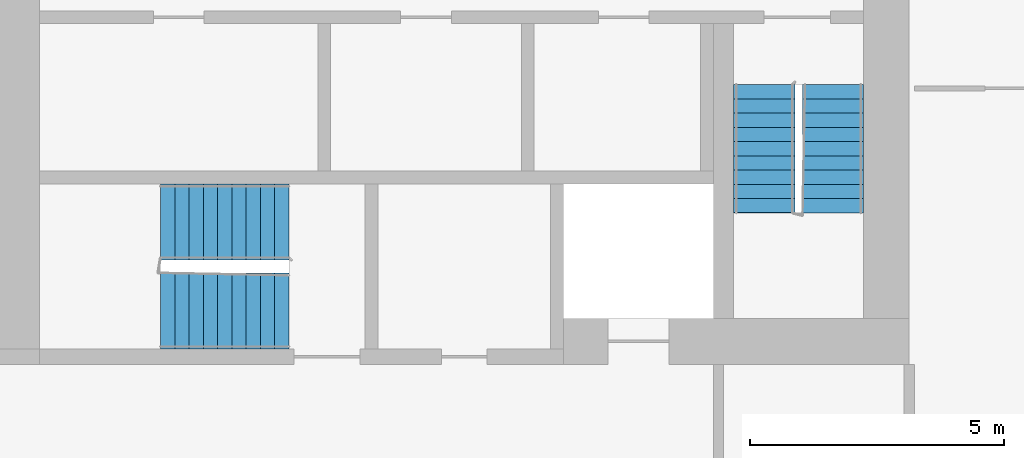
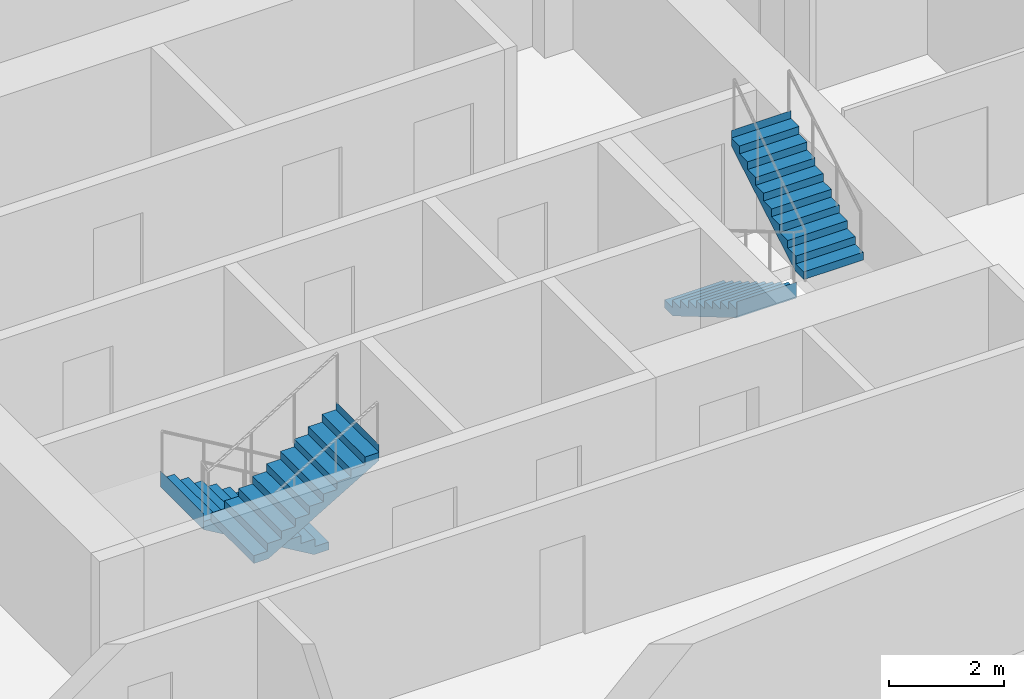
# One storey, part 8 of 11: 4 stair flights, 2 elements without a shape of their own.
"""IFC4 building model written with IfcOpenShell, lengths in metres."""

from ifc_helpers import new_model, si_unit, direction, frame, origin, place, context, subcontext, project, spatial, faceted_brep, material, type_object, element, aggregate, save


model = new_model("IFC4")

# Units and contexts
model_context = context("Model", 3, precision=1e-05, world=origin(), true_north=direction((0.0, 1.0)))
body_context = subcontext(model_context, "Body", "Model", "MODEL_VIEW")
ifc_project = project(units=[si_unit("LENGTHUNIT", "METRE"), si_unit("AREAUNIT", "SQUARE_METRE"), si_unit("VOLUMEUNIT", "CUBIC_METRE"), si_unit("PLANEANGLEUNIT", "RADIAN"), si_unit("MASSUNIT", "GRAM", prefix="KILO")], contexts=[model_context])

# Site, building, storey
site_placement = place(None, origin())
site = spatial("IfcSite", under=ifc_project, at=site_placement, CompositionType="ELEMENT")
building_placement = place(site_placement, origin())
building = spatial("IfcBuilding", under=site, at=building_placement, Name="Kajstack Hotel Tower", CompositionType="ELEMENT")
storey_placement = place(building_placement, frame((0.0, 0.0, 291.60009765625)))
storey = spatial("IfcBuildingStorey", under=building, at=storey_placement, Name="L73", CompositionType="ELEMENT", Elevation=291.60009765625)

# Stair, stair flights
ifc_material = material(Name="Concrete C40/50", Category="concrete")
stair_type_1 = type_object("IfcStairType", Name="Exit stair 1200", PredefinedType="HALF_TURN_STAIR", material=ifc_material)
stair_1_placement = place(storey_placement, origin())
stair_1 = element("IfcStair", 1, at=stair_1_placement, inside=storey, type_object=stair_type_1, Name="L73 stair W2", PredefinedType="HALF_TURN_STAIR")
stair_flight_type_1 = type_object("IfcStairFlightType", Name="Exit stair flight 1200", PredefinedType="STRAIGHT", material=ifc_material)
stair_flight_1_placement = place(storey_placement, frame((-16.35009765625, -10.0, 0.0), z_axis=(0.0, 0.0, 1.0), x_axis=(0.0, -1.0, 0.0)))
stair_flight_1 = element("IfcStairFlight", 2, at=stair_flight_1_placement, type_object=stair_flight_type_1, Name="W2 flight 1", NumberOfRisers=10, NumberOfTreads=9, PredefinedType="STRAIGHT", RiserHeight=0.165, TreadLength=0.28, context=body_context, shape_type="Brep", body=[
    faceted_brep([(0.295654296875, -0.60009765625, 0.0), (2.5205078125, -0.60009765625, 1.31103515625), (2.5205078125, -0.60009765625, 1.64990234375), (2.52001953125, -0.60009765625, 1.64990234375), (2.52001953125, -0.60009765625, 1.485107421875), (2.239990234375, -0.60009765625, 1.485107421875), (2.239990234375, -0.60009765625, 1.320068359375), (1.9599609375, -0.60009765625, 1.320068359375), (1.9599609375, -0.60009765625, 1.155029296875), (1.679931640625, -0.60009765625, 1.155029296875), (1.679931640625, -0.60009765625, 0.989990234375), (1.39990234375, -0.60009765625, 0.989990234375), (1.39990234375, -0.60009765625, 0.824951171875), (1.1201171875, -0.60009765625, 0.824951171875), (1.1201171875, -0.60009765625, 0.659912109375), (0.840087890625, -0.60009765625, 0.659912109375), (0.840087890625, -0.60009765625, 0.4951171875), (0.56005859375, -0.60009765625, 0.4951171875), (0.56005859375, -0.60009765625, 0.330078125), (0.280029296875, -0.60009765625, 0.330078125), (0.280029296875, -0.60009765625, 0.1650390625), (-0.00048828125, -0.60009765625, 0.1650390625), (-0.00048828125, -0.60009765625, 0.0), (-0.00048828125, 0.60009765625, 0.0), (-0.00048828125, 0.60009765625, 0.1650390625), (0.280029296875, 0.60009765625, 0.1650390625), (0.280029296875, 0.60009765625, 0.330078125), (0.56005859375, 0.60009765625, 0.330078125), (0.56005859375, 0.60009765625, 0.4951171875), (0.840087890625, 0.60009765625, 0.4951171875), (0.840087890625, 0.60009765625, 0.659912109375), (1.1201171875, 0.60009765625, 0.659912109375), (1.1201171875, 0.60009765625, 0.824951171875), (1.39990234375, 0.60009765625, 0.824951171875), (1.39990234375, 0.60009765625, 0.989990234375), (1.679931640625, 0.60009765625, 0.989990234375), (1.679931640625, 0.60009765625, 1.155029296875), (1.9599609375, 0.60009765625, 1.155029296875), (1.9599609375, 0.60009765625, 1.320068359375), (2.239990234375, 0.60009765625, 1.320068359375), (2.239990234375, 0.60009765625, 1.485107421875), (2.52001953125, 0.60009765625, 1.485107421875), (2.52001953125, 0.60009765625, 1.64990234375), (2.5205078125, 0.60009765625, 1.64990234375), (2.5205078125, 0.60009765625, 1.31103515625), (0.295654296875, 0.60009765625, 0.0), (-0.00048828125, -0.300048828125, 0.1650390625), (-0.00048828125, 0.0, 0.1650390625), (-0.00048828125, 0.300048828125, 0.1650390625), (-0.00048828125, 0.300048828125, 0.0), (-0.00048828125, 0.0, 0.0), (-0.00048828125, -0.300048828125, 0.0), (0.280029296875, -0.300048828125, 0.1650390625), (0.280029296875, 0.0, 0.1650390625), (0.280029296875, 0.300048828125, 0.1650390625), (0.280029296875, -0.300048828125, 0.330078125), (0.280029296875, 0.0, 0.330078125), (0.280029296875, 0.300048828125, 0.330078125), (0.56005859375, -0.300048828125, 0.330078125), (0.56005859375, 0.0, 0.330078125), (0.56005859375, 0.300048828125, 0.330078125), (0.56005859375, -0.300048828125, 0.4951171875), (0.56005859375, 0.0, 0.4951171875), (0.56005859375, 0.300048828125, 0.4951171875), (0.840087890625, -0.300048828125, 0.4951171875), (0.840087890625, 0.0, 0.4951171875), (0.840087890625, 0.300048828125, 0.4951171875), (0.840087890625, -0.300048828125, 0.659912109375), (0.840087890625, 0.0, 0.659912109375), (0.840087890625, 0.300048828125, 0.659912109375), (1.1201171875, -0.300048828125, 0.659912109375), (1.1201171875, 0.0, 0.659912109375), (1.1201171875, 0.300048828125, 0.659912109375), (1.1201171875, -0.300048828125, 0.824951171875), (1.1201171875, 0.0, 0.824951171875), (1.1201171875, 0.300048828125, 0.824951171875), (1.39990234375, -0.300048828125, 0.824951171875), (1.39990234375, 0.0, 0.824951171875), (1.39990234375, 0.300048828125, 0.824951171875), (1.39990234375, -0.300048828125, 0.989990234375), (1.39990234375, 0.0, 0.989990234375), (1.39990234375, 0.300048828125, 0.989990234375), (1.679931640625, -0.300048828125, 0.989990234375), (1.679931640625, 0.0, 0.989990234375), (1.679931640625, 0.300048828125, 0.989990234375), (1.679931640625, -0.300048828125, 1.155029296875), (1.679931640625, 0.0, 1.155029296875), (1.679931640625, 0.300048828125, 1.155029296875), (1.9599609375, -0.300048828125, 1.155029296875), (1.9599609375, 0.0, 1.155029296875), (1.9599609375, 0.300048828125, 1.155029296875), (1.9599609375, -0.300048828125, 1.320068359375), (1.9599609375, 0.0, 1.320068359375), (1.9599609375, 0.300048828125, 1.320068359375), (2.239990234375, -0.300048828125, 1.320068359375), (2.239990234375, 0.0, 1.320068359375), (2.239990234375, 0.300048828125, 1.320068359375), (2.239990234375, -0.300048828125, 1.485107421875), (2.239990234375, 0.0, 1.485107421875), (2.239990234375, 0.300048828125, 1.485107421875), (2.52001953125, -0.300048828125, 1.485107421875), (2.52001953125, 0.0, 1.485107421875), (2.52001953125, 0.300048828125, 1.485107421875), (2.52001953125, -0.300048828125, 1.64990234375), (2.52001953125, 0.0, 1.64990234375), (2.52001953125, 0.300048828125, 1.64990234375), (2.5205078125, -0.300048828125, 1.64990234375), (2.5205078125, 0.0, 1.64990234375), (2.5205078125, 0.300048828125, 1.64990234375), (2.5205078125, -0.300048828125, 1.31103515625), (2.5205078125, 0.0, 1.31103515625), (2.5205078125, 0.300048828125, 1.31103515625), (0.295654296875, -0.300048828125, 0.0), (0.295654296875, 0.0, 0.0), (0.295654296875, 0.300048828125, 0.0)], [[[0, 1, 2, 3, 4, 5, 6, 7, 8, 9, 10, 11, 12, 13, 14, 15, 16, 17, 18, 19, 20, 21, 22]], [[23, 24, 25, 26, 27, 28, 29, 30, 31, 32, 33, 34, 35, 36, 37, 38, 39, 40, 41, 42, 43, 44, 45]], [[21, 46, 47, 48, 24, 23, 49, 50, 51, 22]], [[20, 52, 53, 54, 25, 24, 48, 47, 46, 21]], [[19, 55, 56, 57, 26, 25, 54, 53, 52, 20]], [[18, 58, 59, 60, 27, 26, 57, 56, 55, 19]], [[17, 61, 62, 63, 28, 27, 60, 59, 58, 18]], [[16, 64, 65, 66, 29, 28, 63, 62, 61, 17]], [[15, 67, 68, 69, 30, 29, 66, 65, 64, 16]], [[14, 70, 71, 72, 31, 30, 69, 68, 67, 15]], [[13, 73, 74, 75, 32, 31, 72, 71, 70, 14]], [[12, 76, 77, 78, 33, 32, 75, 74, 73, 13]], [[11, 79, 80, 81, 34, 33, 78, 77, 76, 12]], [[10, 82, 83, 84, 35, 34, 81, 80, 79, 11]], [[9, 85, 86, 87, 36, 35, 84, 83, 82, 10]], [[8, 88, 89, 90, 37, 36, 87, 86, 85, 9]], [[7, 91, 92, 93, 38, 37, 90, 89, 88, 8]], [[6, 94, 95, 96, 39, 38, 93, 92, 91, 7]], [[5, 97, 98, 99, 40, 39, 96, 95, 94, 6]], [[4, 100, 101, 102, 41, 40, 99, 98, 97, 5]], [[3, 103, 104, 105, 42, 41, 102, 101, 100, 4]], [[2, 106, 107, 108, 43, 42, 105, 104, 103, 3]], [[1, 109, 110, 111, 44, 43, 108, 107, 106, 2]], [[0, 112, 113, 114, 45, 44, 111, 110, 109, 1]], [[22, 51, 50, 49, 23, 45, 114, 113, 112, 0]]]),
])
stair_flight_2_placement = place(storey_placement, frame((-15.0, -12.52001953125, 1.64990234375), z_axis=(0.0, 0.0, 1.0), x_axis=(0.0, 1.0, 0.0)))
stair_flight_2 = element("IfcStairFlight", 3, at=stair_flight_2_placement, type_object=stair_flight_type_1, Name="W2 flight 2", NumberOfRisers=10, NumberOfTreads=9, PredefinedType="STRAIGHT", RiserHeight=0.165, TreadLength=0.28, context=body_context, shape_type="Brep", body=[
    faceted_brep([(0.295654296875, -0.60009765625, 0.0), (2.5205078125, -0.60009765625, 1.31103515625), (2.5205078125, -0.60009765625, 1.64990234375), (2.52001953125, -0.60009765625, 1.64990234375), (2.52001953125, -0.60009765625, 1.485107421875), (2.239990234375, -0.60009765625, 1.485107421875), (2.239990234375, -0.60009765625, 1.320068359375), (1.9599609375, -0.60009765625, 1.320068359375), (1.9599609375, -0.60009765625, 1.155029296875), (1.679931640625, -0.60009765625, 1.155029296875), (1.679931640625, -0.60009765625, 0.989990234375), (1.39990234375, -0.60009765625, 0.989990234375), (1.39990234375, -0.60009765625, 0.824951171875), (1.1201171875, -0.60009765625, 0.824951171875), (1.1201171875, -0.60009765625, 0.659912109375), (0.840087890625, -0.60009765625, 0.659912109375), (0.840087890625, -0.60009765625, 0.4951171875), (0.56005859375, -0.60009765625, 0.4951171875), (0.56005859375, -0.60009765625, 0.330078125), (0.280029296875, -0.60009765625, 0.330078125), (0.280029296875, -0.60009765625, 0.1650390625), (-0.00048828125, -0.60009765625, 0.1650390625), (-0.00048828125, -0.60009765625, 0.0), (-0.00048828125, 0.60009765625, 0.0), (-0.00048828125, 0.60009765625, 0.1650390625), (0.280029296875, 0.60009765625, 0.1650390625), (0.280029296875, 0.60009765625, 0.330078125), (0.56005859375, 0.60009765625, 0.330078125), (0.56005859375, 0.60009765625, 0.4951171875), (0.840087890625, 0.60009765625, 0.4951171875), (0.840087890625, 0.60009765625, 0.659912109375), (1.1201171875, 0.60009765625, 0.659912109375), (1.1201171875, 0.60009765625, 0.824951171875), (1.39990234375, 0.60009765625, 0.824951171875), (1.39990234375, 0.60009765625, 0.989990234375), (1.679931640625, 0.60009765625, 0.989990234375), (1.679931640625, 0.60009765625, 1.155029296875), (1.9599609375, 0.60009765625, 1.155029296875), (1.9599609375, 0.60009765625, 1.320068359375), (2.239990234375, 0.60009765625, 1.320068359375), (2.239990234375, 0.60009765625, 1.485107421875), (2.52001953125, 0.60009765625, 1.485107421875), (2.52001953125, 0.60009765625, 1.64990234375), (2.5205078125, 0.60009765625, 1.64990234375), (2.5205078125, 0.60009765625, 1.31103515625), (0.295654296875, 0.60009765625, 0.0), (-0.00048828125, -0.300048828125, 0.1650390625), (-0.00048828125, 0.0, 0.1650390625), (-0.00048828125, 0.300048828125, 0.1650390625), (-0.00048828125, 0.300048828125, 0.0), (-0.00048828125, 0.0, 0.0), (-0.00048828125, -0.300048828125, 0.0), (0.280029296875, -0.300048828125, 0.1650390625), (0.280029296875, 0.0, 0.1650390625), (0.280029296875, 0.300048828125, 0.1650390625), (0.280029296875, -0.300048828125, 0.330078125), (0.280029296875, 0.0, 0.330078125), (0.280029296875, 0.300048828125, 0.330078125), (0.56005859375, -0.300048828125, 0.330078125), (0.56005859375, 0.0, 0.330078125), (0.56005859375, 0.300048828125, 0.330078125), (0.56005859375, -0.300048828125, 0.4951171875), (0.56005859375, 0.0, 0.4951171875), (0.56005859375, 0.300048828125, 0.4951171875), (0.840087890625, -0.300048828125, 0.4951171875), (0.840087890625, 0.0, 0.4951171875), (0.840087890625, 0.300048828125, 0.4951171875), (0.840087890625, -0.300048828125, 0.659912109375), (0.840087890625, 0.0, 0.659912109375), (0.840087890625, 0.300048828125, 0.659912109375), (1.1201171875, -0.300048828125, 0.659912109375), (1.1201171875, 0.0, 0.659912109375), (1.1201171875, 0.300048828125, 0.659912109375), (1.1201171875, -0.300048828125, 0.824951171875), (1.1201171875, 0.0, 0.824951171875), (1.1201171875, 0.300048828125, 0.824951171875), (1.39990234375, -0.300048828125, 0.824951171875), (1.39990234375, 0.0, 0.824951171875), (1.39990234375, 0.300048828125, 0.824951171875), (1.39990234375, -0.300048828125, 0.989990234375), (1.39990234375, 0.0, 0.989990234375), (1.39990234375, 0.300048828125, 0.989990234375), (1.679931640625, -0.300048828125, 0.989990234375), (1.679931640625, 0.0, 0.989990234375), (1.679931640625, 0.300048828125, 0.989990234375), (1.679931640625, -0.300048828125, 1.155029296875), (1.679931640625, 0.0, 1.155029296875), (1.679931640625, 0.300048828125, 1.155029296875), (1.9599609375, -0.300048828125, 1.155029296875), (1.9599609375, 0.0, 1.155029296875), (1.9599609375, 0.300048828125, 1.155029296875), (1.9599609375, -0.300048828125, 1.320068359375), (1.9599609375, 0.0, 1.320068359375), (1.9599609375, 0.300048828125, 1.320068359375), (2.239990234375, -0.300048828125, 1.320068359375), (2.239990234375, 0.0, 1.320068359375), (2.239990234375, 0.300048828125, 1.320068359375), (2.239990234375, -0.300048828125, 1.485107421875), (2.239990234375, 0.0, 1.485107421875), (2.239990234375, 0.300048828125, 1.485107421875), (2.52001953125, -0.300048828125, 1.485107421875), (2.52001953125, 0.0, 1.485107421875), (2.52001953125, 0.300048828125, 1.485107421875), (2.52001953125, -0.300048828125, 1.64990234375), (2.52001953125, 0.0, 1.64990234375), (2.52001953125, 0.300048828125, 1.64990234375), (2.5205078125, -0.300048828125, 1.64990234375), (2.5205078125, 0.0, 1.64990234375), (2.5205078125, 0.300048828125, 1.64990234375), (2.5205078125, -0.300048828125, 1.31103515625), (2.5205078125, 0.0, 1.31103515625), (2.5205078125, 0.300048828125, 1.31103515625), (0.295654296875, -0.300048828125, 0.0), (0.295654296875, 0.0, 0.0), (0.295654296875, 0.300048828125, 0.0)], [[[0, 1, 2, 3, 4, 5, 6, 7, 8, 9, 10, 11, 12, 13, 14, 15, 16, 17, 18, 19, 20, 21, 22]], [[23, 24, 25, 26, 27, 28, 29, 30, 31, 32, 33, 34, 35, 36, 37, 38, 39, 40, 41, 42, 43, 44, 45]], [[21, 46, 47, 48, 24, 23, 49, 50, 51, 22]], [[20, 52, 53, 54, 25, 24, 48, 47, 46, 21]], [[19, 55, 56, 57, 26, 25, 54, 53, 52, 20]], [[18, 58, 59, 60, 27, 26, 57, 56, 55, 19]], [[17, 61, 62, 63, 28, 27, 60, 59, 58, 18]], [[16, 64, 65, 66, 29, 28, 63, 62, 61, 17]], [[15, 67, 68, 69, 30, 29, 66, 65, 64, 16]], [[14, 70, 71, 72, 31, 30, 69, 68, 67, 15]], [[13, 73, 74, 75, 32, 31, 72, 71, 70, 14]], [[12, 76, 77, 78, 33, 32, 75, 74, 73, 13]], [[11, 79, 80, 81, 34, 33, 78, 77, 76, 12]], [[10, 82, 83, 84, 35, 34, 81, 80, 79, 11]], [[9, 85, 86, 87, 36, 35, 84, 83, 82, 10]], [[8, 88, 89, 90, 37, 36, 87, 86, 85, 9]], [[7, 91, 92, 93, 38, 37, 90, 89, 88, 8]], [[6, 94, 95, 96, 39, 38, 93, 92, 91, 7]], [[5, 97, 98, 99, 40, 39, 96, 95, 94, 6]], [[4, 100, 101, 102, 41, 40, 99, 98, 97, 5]], [[3, 103, 104, 105, 42, 41, 102, 101, 100, 4]], [[2, 106, 107, 108, 43, 42, 105, 104, 103, 3]], [[1, 109, 110, 111, 44, 43, 108, 107, 106, 2]], [[0, 112, 113, 114, 45, 44, 111, 110, 109, 1]], [[22, 51, 50, 49, 23, 45, 114, 113, 112, 0]]]),
])
aggregate(stair_1, [stair_flight_1, stair_flight_2])

stair_type_2 = type_object("IfcStairType", Name="Exit stair 1500", PredefinedType="HALF_TURN_STAIR", material=ifc_material)
stair_2_placement = place(storey_placement, origin())
stair_2 = element("IfcStair", 4, at=stair_2_placement, inside=storey, type_object=stair_type_2, Name="L73 stair W3", PredefinedType="HALF_TURN_STAIR")
stair_flight_type_2 = type_object("IfcStairFlightType", Name="Exit stair flight 1500", PredefinedType="STRAIGHT", material=ifc_material)
stair_flight_3_placement = place(storey_placement, frame((-25.699951171875, -12.699951171875, 0.0), z_axis=(0.0, 0.0, 1.0), x_axis=(-1.0, 0.0, 0.0)))
stair_flight_3 = element("IfcStairFlight", 5, at=stair_flight_3_placement, type_object=stair_flight_type_2, Name="W3 flight 1", NumberOfRisers=10, NumberOfTreads=9, PredefinedType="STRAIGHT", RiserHeight=0.165, TreadLength=0.28, context=body_context, shape_type="Brep", body=[
    faceted_brep([(0.295654296875, -0.75, 0.0), (2.5205078125, -0.75, 1.31103515625), (2.5205078125, -0.75, 1.64990234375), (2.52001953125, -0.75, 1.64990234375), (2.52001953125, -0.75, 1.485107421875), (2.239990234375, -0.75, 1.485107421875), (2.239990234375, -0.75, 1.320068359375), (1.9599609375, -0.75, 1.320068359375), (1.9599609375, -0.75, 1.155029296875), (1.679931640625, -0.75, 1.155029296875), (1.679931640625, -0.75, 0.989990234375), (1.39990234375, -0.75, 0.989990234375), (1.39990234375, -0.75, 0.824951171875), (1.1201171875, -0.75, 0.824951171875), (1.1201171875, -0.75, 0.659912109375), (0.840087890625, -0.75, 0.659912109375), (0.840087890625, -0.75, 0.4951171875), (0.56005859375, -0.75, 0.4951171875), (0.56005859375, -0.75, 0.330078125), (0.280029296875, -0.75, 0.330078125), (0.280029296875, -0.75, 0.1650390625), (-0.00048828125, -0.75, 0.1650390625), (-0.00048828125, -0.75, 0.0), (-0.00048828125, 0.75, 0.0), (-0.00048828125, 0.75, 0.1650390625), (0.280029296875, 0.75, 0.1650390625), (0.280029296875, 0.75, 0.330078125), (0.56005859375, 0.75, 0.330078125), (0.56005859375, 0.75, 0.4951171875), (0.840087890625, 0.75, 0.4951171875), (0.840087890625, 0.75, 0.659912109375), (1.1201171875, 0.75, 0.659912109375), (1.1201171875, 0.75, 0.824951171875), (1.39990234375, 0.75, 0.824951171875), (1.39990234375, 0.75, 0.989990234375), (1.679931640625, 0.75, 0.989990234375), (1.679931640625, 0.75, 1.155029296875), (1.9599609375, 0.75, 1.155029296875), (1.9599609375, 0.75, 1.320068359375), (2.239990234375, 0.75, 1.320068359375), (2.239990234375, 0.75, 1.485107421875), (2.52001953125, 0.75, 1.485107421875), (2.52001953125, 0.75, 1.64990234375), (2.5205078125, 0.75, 1.64990234375), (2.5205078125, 0.75, 1.31103515625), (0.295654296875, 0.75, 0.0), (-0.00048828125, -0.375, 0.1650390625), (-0.00048828125, 0.0, 0.1650390625), (-0.00048828125, 0.375, 0.1650390625), (-0.00048828125, 0.375, 0.0), (-0.00048828125, 0.0, 0.0), (-0.00048828125, -0.375, 0.0), (0.280029296875, -0.375, 0.1650390625), (0.280029296875, 0.0, 0.1650390625), (0.280029296875, 0.375, 0.1650390625), (0.280029296875, -0.375, 0.330078125), (0.280029296875, 0.0, 0.330078125), (0.280029296875, 0.375, 0.330078125), (0.56005859375, -0.375, 0.330078125), (0.56005859375, 0.0, 0.330078125), (0.56005859375, 0.375, 0.330078125), (0.56005859375, -0.375, 0.4951171875), (0.56005859375, 0.0, 0.4951171875), (0.56005859375, 0.375, 0.4951171875), (0.840087890625, -0.375, 0.4951171875), (0.840087890625, 0.0, 0.4951171875), (0.840087890625, 0.375, 0.4951171875), (0.840087890625, -0.375, 0.659912109375), (0.840087890625, 0.0, 0.659912109375), (0.840087890625, 0.375, 0.659912109375), (1.1201171875, -0.375, 0.659912109375), (1.1201171875, 0.0, 0.659912109375), (1.1201171875, 0.375, 0.659912109375), (1.1201171875, -0.375, 0.824951171875), (1.1201171875, 0.0, 0.824951171875), (1.1201171875, 0.375, 0.824951171875), (1.39990234375, -0.375, 0.824951171875), (1.39990234375, 0.0, 0.824951171875), (1.39990234375, 0.375, 0.824951171875), (1.39990234375, -0.375, 0.989990234375), (1.39990234375, 0.0, 0.989990234375), (1.39990234375, 0.375, 0.989990234375), (1.679931640625, -0.375, 0.989990234375), (1.679931640625, 0.0, 0.989990234375), (1.679931640625, 0.375, 0.989990234375), (1.679931640625, -0.375, 1.155029296875), (1.679931640625, 0.0, 1.155029296875), (1.679931640625, 0.375, 1.155029296875), (1.9599609375, -0.375, 1.155029296875), (1.9599609375, 0.0, 1.155029296875), (1.9599609375, 0.375, 1.155029296875), (1.9599609375, -0.375, 1.320068359375), (1.9599609375, 0.0, 1.320068359375), (1.9599609375, 0.375, 1.320068359375), (2.239990234375, -0.375, 1.320068359375), (2.239990234375, 0.0, 1.320068359375), (2.239990234375, 0.375, 1.320068359375), (2.239990234375, -0.375, 1.485107421875), (2.239990234375, 0.0, 1.485107421875), (2.239990234375, 0.375, 1.485107421875), (2.52001953125, -0.375, 1.485107421875), (2.52001953125, 0.0, 1.485107421875), (2.52001953125, 0.375, 1.485107421875), (2.52001953125, -0.375, 1.64990234375), (2.52001953125, 0.0, 1.64990234375), (2.52001953125, 0.375, 1.64990234375), (2.5205078125, -0.375, 1.64990234375), (2.5205078125, 0.0, 1.64990234375), (2.5205078125, 0.375, 1.64990234375), (2.5205078125, -0.375, 1.31103515625), (2.5205078125, 0.0, 1.31103515625), (2.5205078125, 0.375, 1.31103515625), (0.295654296875, -0.375, 0.0), (0.295654296875, 0.0, 0.0), (0.295654296875, 0.375, 0.0)], [[[0, 1, 2, 3, 4, 5, 6, 7, 8, 9, 10, 11, 12, 13, 14, 15, 16, 17, 18, 19, 20, 21, 22]], [[23, 24, 25, 26, 27, 28, 29, 30, 31, 32, 33, 34, 35, 36, 37, 38, 39, 40, 41, 42, 43, 44, 45]], [[21, 46, 47, 48, 24, 23, 49, 50, 51, 22]], [[20, 52, 53, 54, 25, 24, 48, 47, 46, 21]], [[19, 55, 56, 57, 26, 25, 54, 53, 52, 20]], [[18, 58, 59, 60, 27, 26, 57, 56, 55, 19]], [[17, 61, 62, 63, 28, 27, 60, 59, 58, 18]], [[16, 64, 65, 66, 29, 28, 63, 62, 61, 17]], [[15, 67, 68, 69, 30, 29, 66, 65, 64, 16]], [[14, 70, 71, 72, 31, 30, 69, 68, 67, 15]], [[13, 73, 74, 75, 32, 31, 72, 71, 70, 14]], [[12, 76, 77, 78, 33, 32, 75, 74, 73, 13]], [[11, 79, 80, 81, 34, 33, 78, 77, 76, 12]], [[10, 82, 83, 84, 35, 34, 81, 80, 79, 11]], [[9, 85, 86, 87, 36, 35, 84, 83, 82, 10]], [[8, 88, 89, 90, 37, 36, 87, 86, 85, 9]], [[7, 91, 92, 93, 38, 37, 90, 89, 88, 8]], [[6, 94, 95, 96, 39, 38, 93, 92, 91, 7]], [[5, 97, 98, 99, 40, 39, 96, 95, 94, 6]], [[4, 100, 101, 102, 41, 40, 99, 98, 97, 5]], [[3, 103, 104, 105, 42, 41, 102, 101, 100, 4]], [[2, 106, 107, 108, 43, 42, 105, 104, 103, 3]], [[1, 109, 110, 111, 44, 43, 108, 107, 106, 2]], [[0, 112, 113, 114, 45, 44, 111, 110, 109, 1]], [[22, 51, 50, 49, 23, 45, 114, 113, 112, 0]]]),
])
stair_flight_4_placement = place(storey_placement, frame((-28.219970703125, -14.449951171875, 1.64990234375), z_axis=(0.0, 0.0, 1.0), x_axis=(1.0, 0.0, 0.0)))
stair_flight_4 = element("IfcStairFlight", 6, at=stair_flight_4_placement, type_object=stair_flight_type_2, Name="W3 flight 2", NumberOfRisers=10, NumberOfTreads=9, PredefinedType="STRAIGHT", RiserHeight=0.165, TreadLength=0.28, context=body_context, shape_type="Brep", body=[
    faceted_brep([(0.295654296875, -0.75, 0.0), (2.5205078125, -0.75, 1.31103515625), (2.5205078125, -0.75, 1.64990234375), (2.52001953125, -0.75, 1.64990234375), (2.52001953125, -0.75, 1.485107421875), (2.239990234375, -0.75, 1.485107421875), (2.239990234375, -0.75, 1.320068359375), (1.9599609375, -0.75, 1.320068359375), (1.9599609375, -0.75, 1.155029296875), (1.679931640625, -0.75, 1.155029296875), (1.679931640625, -0.75, 0.989990234375), (1.39990234375, -0.75, 0.989990234375), (1.39990234375, -0.75, 0.824951171875), (1.1201171875, -0.75, 0.824951171875), (1.1201171875, -0.75, 0.659912109375), (0.840087890625, -0.75, 0.659912109375), (0.840087890625, -0.75, 0.4951171875), (0.56005859375, -0.75, 0.4951171875), (0.56005859375, -0.75, 0.330078125), (0.280029296875, -0.75, 0.330078125), (0.280029296875, -0.75, 0.1650390625), (-0.00048828125, -0.75, 0.1650390625), (-0.00048828125, -0.75, 0.0), (-0.00048828125, 0.75, 0.0), (-0.00048828125, 0.75, 0.1650390625), (0.280029296875, 0.75, 0.1650390625), (0.280029296875, 0.75, 0.330078125), (0.56005859375, 0.75, 0.330078125), (0.56005859375, 0.75, 0.4951171875), (0.840087890625, 0.75, 0.4951171875), (0.840087890625, 0.75, 0.659912109375), (1.1201171875, 0.75, 0.659912109375), (1.1201171875, 0.75, 0.824951171875), (1.39990234375, 0.75, 0.824951171875), (1.39990234375, 0.75, 0.989990234375), (1.679931640625, 0.75, 0.989990234375), (1.679931640625, 0.75, 1.155029296875), (1.9599609375, 0.75, 1.155029296875), (1.9599609375, 0.75, 1.320068359375), (2.239990234375, 0.75, 1.320068359375), (2.239990234375, 0.75, 1.485107421875), (2.52001953125, 0.75, 1.485107421875), (2.52001953125, 0.75, 1.64990234375), (2.5205078125, 0.75, 1.64990234375), (2.5205078125, 0.75, 1.31103515625), (0.295654296875, 0.75, 0.0), (-0.00048828125, -0.375, 0.1650390625), (-0.00048828125, 0.0, 0.1650390625), (-0.00048828125, 0.375, 0.1650390625), (-0.00048828125, 0.375, 0.0), (-0.00048828125, 0.0, 0.0), (-0.00048828125, -0.375, 0.0), (0.280029296875, -0.375, 0.1650390625), (0.280029296875, 0.0, 0.1650390625), (0.280029296875, 0.375, 0.1650390625), (0.280029296875, -0.375, 0.330078125), (0.280029296875, 0.0, 0.330078125), (0.280029296875, 0.375, 0.330078125), (0.56005859375, -0.375, 0.330078125), (0.56005859375, 0.0, 0.330078125), (0.56005859375, 0.375, 0.330078125), (0.56005859375, -0.375, 0.4951171875), (0.56005859375, 0.0, 0.4951171875), (0.56005859375, 0.375, 0.4951171875), (0.840087890625, -0.375, 0.4951171875), (0.840087890625, 0.0, 0.4951171875), (0.840087890625, 0.375, 0.4951171875), (0.840087890625, -0.375, 0.659912109375), (0.840087890625, 0.0, 0.659912109375), (0.840087890625, 0.375, 0.659912109375), (1.1201171875, -0.375, 0.659912109375), (1.1201171875, 0.0, 0.659912109375), (1.1201171875, 0.375, 0.659912109375), (1.1201171875, -0.375, 0.824951171875), (1.1201171875, 0.0, 0.824951171875), (1.1201171875, 0.375, 0.824951171875), (1.39990234375, -0.375, 0.824951171875), (1.39990234375, 0.0, 0.824951171875), (1.39990234375, 0.375, 0.824951171875), (1.39990234375, -0.375, 0.989990234375), (1.39990234375, 0.0, 0.989990234375), (1.39990234375, 0.375, 0.989990234375), (1.679931640625, -0.375, 0.989990234375), (1.679931640625, 0.0, 0.989990234375), (1.679931640625, 0.375, 0.989990234375), (1.679931640625, -0.375, 1.155029296875), (1.679931640625, 0.0, 1.155029296875), (1.679931640625, 0.375, 1.155029296875), (1.9599609375, -0.375, 1.155029296875), (1.9599609375, 0.0, 1.155029296875), (1.9599609375, 0.375, 1.155029296875), (1.9599609375, -0.375, 1.320068359375), (1.9599609375, 0.0, 1.320068359375), (1.9599609375, 0.375, 1.320068359375), (2.239990234375, -0.375, 1.320068359375), (2.239990234375, 0.0, 1.320068359375), (2.239990234375, 0.375, 1.320068359375), (2.239990234375, -0.375, 1.485107421875), (2.239990234375, 0.0, 1.485107421875), (2.239990234375, 0.375, 1.485107421875), (2.52001953125, -0.375, 1.485107421875), (2.52001953125, 0.0, 1.485107421875), (2.52001953125, 0.375, 1.485107421875), (2.52001953125, -0.375, 1.64990234375), (2.52001953125, 0.0, 1.64990234375), (2.52001953125, 0.375, 1.64990234375), (2.5205078125, -0.375, 1.64990234375), (2.5205078125, 0.0, 1.64990234375), (2.5205078125, 0.375, 1.64990234375), (2.5205078125, -0.375, 1.31103515625), (2.5205078125, 0.0, 1.31103515625), (2.5205078125, 0.375, 1.31103515625), (0.295654296875, -0.375, 0.0), (0.295654296875, 0.0, 0.0), (0.295654296875, 0.375, 0.0)], [[[0, 1, 2, 3, 4, 5, 6, 7, 8, 9, 10, 11, 12, 13, 14, 15, 16, 17, 18, 19, 20, 21, 22]], [[23, 24, 25, 26, 27, 28, 29, 30, 31, 32, 33, 34, 35, 36, 37, 38, 39, 40, 41, 42, 43, 44, 45]], [[21, 46, 47, 48, 24, 23, 49, 50, 51, 22]], [[20, 52, 53, 54, 25, 24, 48, 47, 46, 21]], [[19, 55, 56, 57, 26, 25, 54, 53, 52, 20]], [[18, 58, 59, 60, 27, 26, 57, 56, 55, 19]], [[17, 61, 62, 63, 28, 27, 60, 59, 58, 18]], [[16, 64, 65, 66, 29, 28, 63, 62, 61, 17]], [[15, 67, 68, 69, 30, 29, 66, 65, 64, 16]], [[14, 70, 71, 72, 31, 30, 69, 68, 67, 15]], [[13, 73, 74, 75, 32, 31, 72, 71, 70, 14]], [[12, 76, 77, 78, 33, 32, 75, 74, 73, 13]], [[11, 79, 80, 81, 34, 33, 78, 77, 76, 12]], [[10, 82, 83, 84, 35, 34, 81, 80, 79, 11]], [[9, 85, 86, 87, 36, 35, 84, 83, 82, 10]], [[8, 88, 89, 90, 37, 36, 87, 86, 85, 9]], [[7, 91, 92, 93, 38, 37, 90, 89, 88, 8]], [[6, 94, 95, 96, 39, 38, 93, 92, 91, 7]], [[5, 97, 98, 99, 40, 39, 96, 95, 94, 6]], [[4, 100, 101, 102, 41, 40, 99, 98, 97, 5]], [[3, 103, 104, 105, 42, 41, 102, 101, 100, 4]], [[2, 106, 107, 108, 43, 42, 105, 104, 103, 3]], [[1, 109, 110, 111, 44, 43, 108, 107, 106, 2]], [[0, 112, 113, 114, 45, 44, 111, 110, 109, 1]], [[22, 51, 50, 49, 23, 45, 114, 113, 112, 0]]]),
])
aggregate(stair_2, [stair_flight_3, stair_flight_4])

save(model, "model.ifc")
